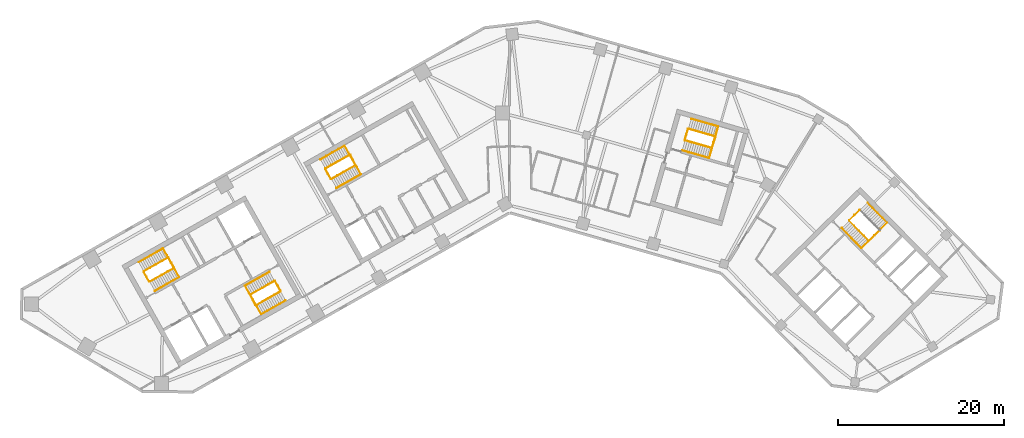
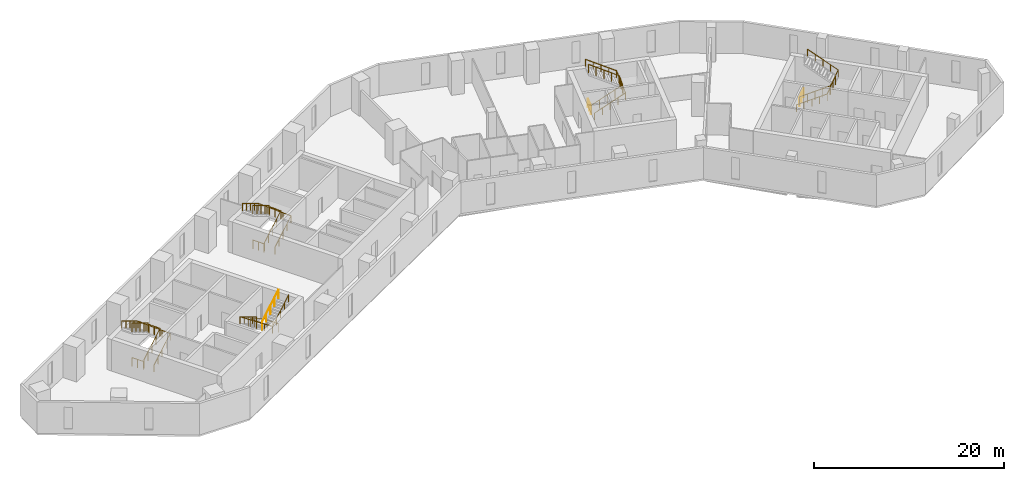
# One storey, part 9 of 10: 19 railings.
"""IFC4 building model written with IfcOpenShell, lengths in metres."""

from ifc_helpers import new_model, si_unit, direction, frame, origin, origin_2d, place, context, subcontext, project, spatial, circle, extrude, material, type_object, element, save


model = new_model("IFC4")

# Units and contexts
model_context = context("Model", 3, precision=1e-05, world=origin(), true_north=direction((0.0, 1.0)))
body_context = subcontext(model_context, "Body", "Model", "MODEL_VIEW")
ifc_project = project(units=[si_unit("LENGTHUNIT", "METRE"), si_unit("AREAUNIT", "SQUARE_METRE"), si_unit("VOLUMEUNIT", "CUBIC_METRE"), si_unit("PLANEANGLEUNIT", "RADIAN"), si_unit("MASSUNIT", "GRAM", prefix="KILO")], contexts=[model_context])

# Site, building, storey
site_placement = place(None, origin())
site = spatial("IfcSite", under=ifc_project, at=site_placement, CompositionType="ELEMENT")
building_placement = place(site_placement, origin())
building = spatial("IfcBuilding", under=site, at=building_placement, Name="Binnacle Exchange Tower", CompositionType="ELEMENT")
storey_placement = place(building_placement, frame((0.0, 0.0, 145.5)))
storey = spatial("IfcBuildingStorey", under=building, at=storey_placement, Name="L30", CompositionType="ELEMENT", Elevation=145.5)

# Railings
ifc_material_1 = material(Name="Steel guard rail", Category="steel")
railing_type_1 = type_object("IfcRailingType", Name="STAIR GUARD 1100", PredefinedType="GUARDRAIL", material=ifc_material_1)
railing_1_placement = place(storey_placement, frame((-43.26171875, 39.71728515625, 0.169189453125)))
element("IfcRailing", 1, at=railing_1_placement, inside=storey, type_object=railing_type_1, Name="L30 STA1 stair guard 1", PredefinedType="GUARDRAIL", context=body_context, shape_type="SweptSolid", body=[
    extrude(circle(Radius=0.02392578125, at=origin_2d()), frame((0.0, 0.0, 1.076171875), z_axis=(0.744867460262, 0.421436531824, 0.517265614832), x_axis=(-0.492433119026, 0.870350287693, 0.0)), (0.0, 0.0, 1.0), 3.926025390625),
    extrude(circle(Radius=0.02392578125, at=origin_2d()), frame((2.92431640625, 1.654541015625, 3.10693359375), z_axis=(-0.460963092712, 0.887419307406, 0.0), x_axis=(-0.887419307406, -0.460963092712, 0.0)), (0.0, 0.0, 1.0), 1.40087890625),
    extrude(circle(Radius=0.02099609375, at=origin_2d()), origin(), (0.0, 0.0, 1.0), 1.052001953125),
    extrude(circle(Radius=0.02099609375, at=origin_2d()), frame((0.73095703125, 0.41357421875, 0.5078125)), (0.0, 0.0, 1.0), 1.052001953125),
    extrude(circle(Radius=0.02099609375, at=origin_2d()), frame((1.462158203125, 0.8271484375, 1.015380859375)), (0.0, 0.0, 1.0), 1.052001953125),
    extrude(circle(Radius=0.02099609375, at=origin_2d()), frame((2.193359375, 1.240966796875, 1.52294921875)), (0.0, 0.0, 1.0), 1.052001953125),
    extrude(circle(Radius=0.02099609375, at=origin_2d()), frame((2.92431640625, 1.654541015625, 2.03076171875)), (0.0, 0.0, 1.0), 1.052001953125),
    extrude(circle(Radius=0.02099609375, at=origin_2d()), frame((2.6015625, 2.276123046875, 2.03076171875)), (0.0, 0.0, 1.0), 1.052001953125),
    extrude(circle(Radius=0.02099609375, at=origin_2d()), frame((2.278564453125, 2.897705078125, 2.03076171875)), (0.0, 0.0, 1.0), 1.052001953125),
])
railing_2_placement = place(storey_placement, frame((-41.05126953125, 42.6337890625, 2.369140625)))
element("IfcRailing", 2, at=railing_2_placement, inside=storey, type_object=railing_type_1, Name="L30 STA1 stair guard 2", PredefinedType="GUARDRAIL", context=body_context, shape_type="SweptSolid", body=[
    extrude(circle(Radius=0.02392578125, at=origin_2d()), frame((0.0, 0.0, 1.076171875), z_axis=(-0.744895141965, -0.421417011194, 0.517241655469), x_axis=(0.49240197835, -0.870367905955, 0.0)), (0.0, 0.0, 1.0), 3.926025390625),
    extrude(circle(Radius=0.02099609375, at=origin_2d()), origin(), (0.0, 0.0, 1.0), 1.052001953125),
    extrude(circle(Radius=0.02099609375, at=origin_2d()), frame((-0.731201171875, -0.41357421875, 0.5078125)), (0.0, 0.0, 1.0), 1.052001953125),
    extrude(circle(Radius=0.02099609375, at=origin_2d()), frame((-1.46240234375, -0.8271484375, 1.015380859375)), (0.0, 0.0, 1.0), 1.052001953125),
    extrude(circle(Radius=0.02099609375, at=origin_2d()), frame((-2.193359375, -1.240966796875, 1.52294921875)), (0.0, 0.0, 1.0), 1.052001953125),
    extrude(circle(Radius=0.02099609375, at=origin_2d()), frame((-2.924560546875, -1.654541015625, 2.03076171875)), (0.0, 0.0, 1.0), 1.052001953125),
])
railing_3_placement = place(storey_placement, frame((-43.329833984375, 39.736328125, 0.0)))
element("IfcRailing", 3, at=railing_3_placement, inside=storey, type_object=railing_type_1, Name="L30 STA1 stair guard 3", PredefinedType="GUARDRAIL", context=body_context, shape_type="SweptSolid", body=[
    extrude(circle(Radius=0.02392578125, at=origin_2d()), frame((0.0, 0.0, 1.076171875), z_axis=(-0.4924922531, 0.870316827734, 0.0), x_axis=(-0.870316827734, -0.4924922531, 0.0)), (0.0, 0.0, 1.0), 1.349853515625),
    extrude(circle(Radius=0.02099609375, at=origin_2d()), origin(), (0.0, 0.0, 1.0), 1.052001953125),
    extrude(circle(Radius=0.02099609375, at=origin_2d()), frame((-0.33251953125, 0.58740234375, 0.0)), (0.0, 0.0, 1.0), 1.052001953125),
    extrude(circle(Radius=0.02099609375, at=origin_2d()), frame((-0.664794921875, 1.1748046875, 0.0)), (0.0, 0.0, 1.0), 1.052001953125),
])
railing_4_placement = place(storey_placement, frame((-28.265380859375, 39.814453125, 0.169189453125)))
element("IfcRailing", 4, at=railing_4_placement, inside=storey, type_object=railing_type_1, Name="L30 STA2 stair guard 1", PredefinedType="GUARDRAIL", context=body_context, shape_type="SweptSolid", body=[
    extrude(circle(Radius=0.02392578125, at=origin_2d()), frame((0.0, 0.0, 1.076171875), z_axis=(-0.744895141965, -0.421417011194, 0.517241655469), x_axis=(0.49240197835, -0.870367905955, 0.0)), (0.0, 0.0, 1.0), 3.926025390625),
    extrude(circle(Radius=0.02392578125, at=origin_2d()), frame((-2.924560546875, -1.654541015625, 3.10693359375), z_axis=(0.461100321709, -0.887348011391, 0.0), x_axis=(0.887348011391, 0.461100321709, 0.0)), (0.0, 0.0, 1.0), 1.40087890625),
    extrude(circle(Radius=0.02099609375, at=origin_2d()), origin(), (0.0, 0.0, 1.0), 1.052001953125),
    extrude(circle(Radius=0.02099609375, at=origin_2d()), frame((-0.731201171875, -0.41357421875, 0.5078125)), (0.0, 0.0, 1.0), 1.052001953125),
    extrude(circle(Radius=0.02099609375, at=origin_2d()), frame((-1.46240234375, -0.8271484375, 1.015380859375)), (0.0, 0.0, 1.0), 1.052001953125),
    extrude(circle(Radius=0.02099609375, at=origin_2d()), frame((-2.193359375, -1.240966796875, 1.52294921875)), (0.0, 0.0, 1.0), 1.052001953125),
    extrude(circle(Radius=0.02099609375, at=origin_2d()), frame((-2.924560546875, -1.654541015625, 2.03076171875)), (0.0, 0.0, 1.0), 1.052001953125),
    extrude(circle(Radius=0.02099609375, at=origin_2d()), frame((-2.6015625, -2.276123046875, 2.03076171875)), (0.0, 0.0, 1.0), 1.052001953125),
    extrude(circle(Radius=0.02099609375, at=origin_2d()), frame((-2.278564453125, -2.897705078125, 2.03076171875)), (0.0, 0.0, 1.0), 1.052001953125),
])
railing_5_placement = place(storey_placement, frame((-30.475830078125, 36.89794921875, 2.369140625)))
element("IfcRailing", 5, at=railing_5_placement, inside=storey, type_object=railing_type_1, Name="L30 STA2 stair guard 2", PredefinedType="GUARDRAIL", context=body_context, shape_type="SweptSolid", body=[
    extrude(circle(Radius=0.02392578125, at=origin_2d()), frame((0.0, 0.0, 1.076171875), z_axis=(0.744867460262, 0.421436531824, 0.517265614832), x_axis=(-0.492433119026, 0.870350287693, 0.0)), (0.0, 0.0, 1.0), 3.926025390625),
    extrude(circle(Radius=0.02099609375, at=origin_2d()), origin(), (0.0, 0.0, 1.0), 1.052001953125),
    extrude(circle(Radius=0.02099609375, at=origin_2d()), frame((0.73095703125, 0.41357421875, 0.5078125)), (0.0, 0.0, 1.0), 1.052001953125),
    extrude(circle(Radius=0.02099609375, at=origin_2d()), frame((1.462158203125, 0.8271484375, 1.015380859375)), (0.0, 0.0, 1.0), 1.052001953125),
    extrude(circle(Radius=0.02099609375, at=origin_2d()), frame((2.193359375, 1.240966796875, 1.52294921875)), (0.0, 0.0, 1.0), 1.052001953125),
    extrude(circle(Radius=0.02099609375, at=origin_2d()), frame((2.92431640625, 1.654541015625, 2.03076171875)), (0.0, 0.0, 1.0), 1.052001953125),
])
railing_6_placement = place(storey_placement, frame((-28.197265625, 39.795654296875, 0.0)))
element("IfcRailing", 6, at=railing_6_placement, inside=storey, type_object=railing_type_1, Name="L30 STA2 stair guard 3", PredefinedType="GUARDRAIL", context=body_context, shape_type="SweptSolid", body=[
    extrude(circle(Radius=0.02392578125, at=origin_2d()), frame((0.0, 0.0, 1.076171875), z_axis=(0.49241474071, -0.870360685654, 0.0), x_axis=(0.870360685654, 0.49241474071, 0.0)), (0.0, 0.0, 1.0), 1.35009765625),
    extrude(circle(Radius=0.02099609375, at=origin_2d()), origin(), (0.0, 0.0, 1.0), 1.052001953125),
    extrude(circle(Radius=0.02099609375, at=origin_2d()), frame((0.33251953125, -0.58740234375, 0.0)), (0.0, 0.0, 1.0), 1.052001953125),
    extrude(circle(Radius=0.02099609375, at=origin_2d()), frame((0.664794921875, -1.175048828125, 0.0)), (0.0, 0.0, 1.0), 1.052001953125),
])
railing_7_placement = place(storey_placement, frame((40.822509765625, 47.046875, 0.169189453125)))
element("IfcRailing", 7, at=railing_7_placement, inside=storey, type_object=railing_type_1, Name="L30 STB1 stair guard 1", PredefinedType="GUARDRAIL", context=body_context, shape_type="SweptSolid", body=[
    extrude(circle(Radius=0.02392578125, at=origin_2d()), frame((0.0, 0.0, 1.076171875), z_axis=(0.599850224077, -0.610421915772, 0.51726665601), x_axis=(0.713256128111, 0.700903485305, 0.0)), (0.0, 0.0, 1.0), 3.926025390625),
    extrude(circle(Radius=0.02392578125, at=origin_2d()), frame((2.35498046875, -2.396484375, 3.10693359375), z_axis=(0.732527851538, 0.680737061369, 0.0), x_axis=(-0.680737061369, 0.732527851538, 0.0)), (0.0, 0.0, 1.0), 1.80078125),
    extrude(circle(Radius=0.02099609375, at=origin_2d()), origin(), (0.0, 0.0, 1.0), 1.052001953125),
    extrude(circle(Radius=0.02099609375, at=origin_2d()), frame((0.5888671875, -0.59912109375, 0.5078125)), (0.0, 0.0, 1.0), 1.052001953125),
    extrude(circle(Radius=0.02099609375, at=origin_2d()), frame((1.177490234375, -1.1982421875, 1.015380859375)), (0.0, 0.0, 1.0), 1.052001953125),
    extrude(circle(Radius=0.02099609375, at=origin_2d()), frame((1.76611328125, -1.79736328125, 1.52294921875)), (0.0, 0.0, 1.0), 1.052001953125),
    extrude(circle(Radius=0.02099609375, at=origin_2d()), frame((2.35498046875, -2.396484375, 2.03076171875)), (0.0, 0.0, 1.0), 1.052001953125),
    extrude(circle(Radius=0.02099609375, at=origin_2d()), frame((3.0146484375, -1.78369140625, 2.03076171875)), (0.0, 0.0, 1.0), 1.052001953125),
    extrude(circle(Radius=0.02099609375, at=origin_2d()), frame((3.674072265625, -1.170654296875, 2.03076171875)), (0.0, 0.0, 1.0), 1.052001953125),
])
railing_8_placement = place(storey_placement, frame((40.8232421875, 47.117431640625, 0.0)))
element("IfcRailing", 8, at=railing_8_placement, inside=storey, type_object=railing_type_1, Name="L30 STB1 stair guard 3", PredefinedType="GUARDRAIL", context=body_context, shape_type="SweptSolid", body=[
    extrude(circle(Radius=0.02392578125, at=origin_2d()), frame((0.0, 0.0, 1.076171875), z_axis=(0.713218950569, 0.700941316052, 0.0), x_axis=(-0.700941316052, 0.713218950569, 0.0)), (0.0, 0.0, 1.0), 1.75),
    extrude(circle(Radius=0.02099609375, at=origin_2d()), origin(), (0.0, 0.0, 1.0), 1.052001953125),
    extrude(circle(Radius=0.02099609375, at=origin_2d()), frame((0.6240234375, 0.61328125, 0.0)), (0.0, 0.0, 1.0), 1.052001953125),
    extrude(circle(Radius=0.02099609375, at=origin_2d()), frame((1.248046875, 1.2265625, 0.0)), (0.0, 0.0, 1.0), 1.052001953125),
])
railing_9_placement = place(storey_placement, frame((-21.423828125, 52.07275390625, 0.169189453125)))
element("IfcRailing", 9, at=railing_9_placement, inside=storey, type_object=railing_type_1, Name="L30 STC1 stair guard 1", PredefinedType="GUARDRAIL", context=body_context, shape_type="SweptSolid", body=[
    extrude(circle(Radius=0.02392578125, at=origin_2d()), frame((0.0, 0.0, 1.076171875), z_axis=(0.744895141965, 0.421417011194, 0.517241655469), x_axis=(-0.49240197835, 0.870367905955, 0.0)), (0.0, 0.0, 1.0), 3.926025390625),
    extrude(circle(Radius=0.02392578125, at=origin_2d()), frame((2.924560546875, 1.654541015625, 3.10693359375), z_axis=(-0.461171632143, 0.887310952094, 0.0), x_axis=(-0.887310952094, -0.461171632143, 0.0)), (0.0, 0.0, 1.0), 1.40087890625),
    extrude(circle(Radius=0.02099609375, at=origin_2d()), origin(), (0.0, 0.0, 1.0), 1.052001953125),
    extrude(circle(Radius=0.02099609375, at=origin_2d()), frame((0.731201171875, 0.41357421875, 0.5078125)), (0.0, 0.0, 1.0), 1.052001953125),
    extrude(circle(Radius=0.02099609375, at=origin_2d()), frame((1.46240234375, 0.8271484375, 1.015380859375)), (0.0, 0.0, 1.0), 1.052001953125),
    extrude(circle(Radius=0.02099609375, at=origin_2d()), frame((2.193359375, 1.240966796875, 1.52294921875)), (0.0, 0.0, 1.0), 1.052001953125),
    extrude(circle(Radius=0.02099609375, at=origin_2d()), frame((2.924560546875, 1.654541015625, 2.03076171875)), (0.0, 0.0, 1.0), 1.052001953125),
    extrude(circle(Radius=0.02099609375, at=origin_2d()), frame((2.6015625, 2.27587890625, 2.03076171875)), (0.0, 0.0, 1.0), 1.052001953125),
    extrude(circle(Radius=0.02099609375, at=origin_2d()), frame((2.278564453125, 2.8974609375, 2.03076171875)), (0.0, 0.0, 1.0), 1.052001953125),
])
railing_10_placement = place(storey_placement, frame((-19.21337890625, 54.9892578125, 2.369140625)))
element("IfcRailing", 10, at=railing_10_placement, inside=storey, type_object=railing_type_1, Name="L30 STC1 stair guard 2", PredefinedType="GUARDRAIL", context=body_context, shape_type="SweptSolid", body=[
    extrude(circle(Radius=0.02392578125, at=origin_2d()), frame((0.0, 0.0, 1.076171875), z_axis=(-0.744867460262, -0.421436531824, 0.517265614832), x_axis=(0.492433119026, -0.870350287693, 0.0)), (0.0, 0.0, 1.0), 3.926025390625),
    extrude(circle(Radius=0.02099609375, at=origin_2d()), origin(), (0.0, 0.0, 1.0), 1.052001953125),
    extrude(circle(Radius=0.02099609375, at=origin_2d()), frame((-0.73095703125, -0.41357421875, 0.5078125)), (0.0, 0.0, 1.0), 1.052001953125),
    extrude(circle(Radius=0.02099609375, at=origin_2d()), frame((-1.462158203125, -0.8271484375, 1.015380859375)), (0.0, 0.0, 1.0), 1.052001953125),
    extrude(circle(Radius=0.02099609375, at=origin_2d()), frame((-2.193359375, -1.240966796875, 1.52294921875)), (0.0, 0.0, 1.0), 1.052001953125),
    extrude(circle(Radius=0.02099609375, at=origin_2d()), frame((-2.92431640625, -1.654541015625, 2.03076171875)), (0.0, 0.0, 1.0), 1.052001953125),
])
railing_11_placement = place(storey_placement, frame((-21.491943359375, 52.091552734375, 0.0)))
element("IfcRailing", 11, at=railing_11_placement, inside=storey, type_object=railing_type_1, Name="L30 STC1 stair guard 3", PredefinedType="GUARDRAIL", context=body_context, shape_type="SweptSolid", body=[
    extrude(circle(Radius=0.02392578125, at=origin_2d()), frame((0.0, 0.0, 1.076171875), z_axis=(-0.49241474071, 0.870360685654, 0.0), x_axis=(-0.870360685654, -0.49241474071, 0.0)), (0.0, 0.0, 1.0), 1.35009765625),
    extrude(circle(Radius=0.02099609375, at=origin_2d()), origin(), (0.0, 0.0, 1.0), 1.052001953125),
    extrude(circle(Radius=0.02099609375, at=origin_2d()), frame((-0.33251953125, 0.58740234375, 0.0)), (0.0, 0.0, 1.0), 1.052001953125),
    extrude(circle(Radius=0.02099609375, at=origin_2d()), frame((-0.664794921875, 1.175048828125, 0.0)), (0.0, 0.0, 1.0), 1.052001953125),
])
railing_12_placement = place(storey_placement, frame((21.086669921875, 56.71044921875, 0.169189453125)))
element("IfcRailing", 12, at=railing_12_placement, inside=storey, type_object=railing_type_1, Name="L30 STD1 stair guard 1", PredefinedType="GUARDRAIL", context=body_context, shape_type="SweptSolid", body=[
    extrude(circle(Radius=0.02392578125, at=origin_2d()), frame((0.0, 0.0, 1.076171875), z_axis=(0.82266146106, -0.235934506256, 0.517264950721), x_axis=(0.27568068152, 0.961249271436, 0.0)), (0.0, 0.0, 1.0), 3.926025390625),
    extrude(circle(Radius=0.02392578125, at=origin_2d()), frame((3.229736328125, -0.92626953125, 3.10693359375), z_axis=(0.309842533299, 0.950787886208, 0.0), x_axis=(-0.950787886208, 0.309842533299, 0.0)), (0.0, 0.0, 1.0), 1.40087890625),
    extrude(circle(Radius=0.02099609375, at=origin_2d()), origin(), (0.0, 0.0, 1.0), 1.052001953125),
    extrude(circle(Radius=0.02099609375, at=origin_2d()), frame((0.807373046875, -0.2314453125, 0.5078125)), (0.0, 0.0, 1.0), 1.052001953125),
    extrude(circle(Radius=0.02099609375, at=origin_2d()), frame((1.61474609375, -0.463134765625, 1.015380859375)), (0.0, 0.0, 1.0), 1.052001953125),
    extrude(circle(Radius=0.02099609375, at=origin_2d()), frame((2.42236328125, -0.69482421875, 1.52294921875)), (0.0, 0.0, 1.0), 1.052001953125),
    extrude(circle(Radius=0.02099609375, at=origin_2d()), frame((3.229736328125, -0.92626953125, 2.03076171875)), (0.0, 0.0, 1.0), 1.052001953125),
    extrude(circle(Radius=0.02099609375, at=origin_2d()), frame((3.44677734375, -0.26025390625, 2.03076171875)), (0.0, 0.0, 1.0), 1.052001953125),
    extrude(circle(Radius=0.02099609375, at=origin_2d()), frame((3.663818359375, 0.40576171875, 2.03076171875)), (0.0, 0.0, 1.0), 1.052001953125),
])
railing_13_placement = place(storey_placement, frame((24.716064453125, 57.177978515625, 2.369140625)))
element("IfcRailing", 13, at=railing_13_placement, inside=storey, type_object=railing_type_1, Name="L30 STD1 stair guard 2", PredefinedType="GUARDRAIL", context=body_context, shape_type="SweptSolid", body=[
    extrude(circle(Radius=0.02392578125, at=origin_2d()), frame((0.0, 0.0, 1.076171875), z_axis=(-0.82266146106, 0.235934506256, 0.517264950721), x_axis=(-0.27568068152, -0.961249271436, 0.0)), (0.0, 0.0, 1.0), 3.926025390625),
    extrude(circle(Radius=0.02099609375, at=origin_2d()), origin(), (0.0, 0.0, 1.0), 1.052001953125),
    extrude(circle(Radius=0.02099609375, at=origin_2d()), frame((-0.807373046875, 0.2314453125, 0.5078125)), (0.0, 0.0, 1.0), 1.052001953125),
    extrude(circle(Radius=0.02099609375, at=origin_2d()), frame((-1.61474609375, 0.463134765625, 1.015380859375)), (0.0, 0.0, 1.0), 1.052001953125),
    extrude(circle(Radius=0.02099609375, at=origin_2d()), frame((-2.42236328125, 0.69482421875, 1.52294921875)), (0.0, 0.0, 1.0), 1.052001953125),
    extrude(circle(Radius=0.02099609375, at=origin_2d()), frame((-3.229736328125, 0.92626953125, 2.03076171875)), (0.0, 0.0, 1.0), 1.052001953125),
])
railing_14_placement = place(storey_placement, frame((21.05224609375, 56.772216796875, 0.0)))
element("IfcRailing", 14, at=railing_14_placement, inside=storey, type_object=railing_type_1, Name="L30 STD1 stair guard 3", PredefinedType="GUARDRAIL", context=body_context, shape_type="SweptSolid", body=[
    extrude(circle(Radius=0.02392578125, at=origin_2d()), frame((0.0, 0.0, 1.076171875), z_axis=(0.275795817769, 0.961216243569, 0.0), x_axis=(-0.961216243569, 0.275795817769, 0.0)), (0.0, 0.0, 1.0), 1.349853515625),
    extrude(circle(Radius=0.02099609375, at=origin_2d()), origin(), (0.0, 0.0, 1.0), 1.052001953125),
    extrude(circle(Radius=0.02099609375, at=origin_2d()), frame((0.18603515625, 0.64892578125, 0.0)), (0.0, 0.0, 1.0), 1.052001953125),
    extrude(circle(Radius=0.02099609375, at=origin_2d()), frame((0.372314453125, 1.297607421875, 0.0)), (0.0, 0.0, 1.0), 1.052001953125),
])
ifc_material_2 = material(Name="Steel handrail", Category="steel")
railing_type_2 = type_object("IfcRailingType", Name="STAIR HANDRAIL 900", PredefinedType="HANDRAIL", material=ifc_material_2)
railing_15_placement = place(storey_placement, frame((-42.646240234375, 38.62939453125, 0.169189453125)))
element("IfcRailing", 15, at=railing_15_placement, inside=storey, type_object=railing_type_2, Name="L30 STA1 stair handrail 1", PredefinedType="HANDRAIL", context=body_context, shape_type="SweptSolid", body=[
    extrude(circle(Radius=0.02392578125, at=origin_2d()), frame((0.0, 0.0, 0.8759765625), z_axis=(0.744867460262, 0.421436531824, 0.517265614832), x_axis=(-0.492433119026, 0.870350287693, 0.0)), (0.0, 0.0, 1.0), 3.926025390625),
    extrude(circle(Radius=0.02392578125, at=origin_2d()), frame((2.92431640625, 1.654541015625, 2.90673828125), z_axis=(-0.491962556146, 0.869564041126, 0.04279277663), x_axis=(-0.870361318571, -0.492413622004, 0.0)), (0.0, 0.0, 1.0), 3.95361328125),
    extrude(circle(Radius=0.02392578125, at=origin_2d()), frame((0.979248046875, 5.092529296875, 3.07568359375), z_axis=(-0.744867460262, -0.421436531824, 0.517265614832), x_axis=(0.492433119026, -0.870350287693, 0.0)), (0.0, 0.0, 1.0), 3.926025390625),
    extrude(circle(Radius=0.02099609375, at=origin_2d()), origin(), (0.0, 0.0, 1.0), 0.851806640625),
    extrude(circle(Radius=0.02099609375, at=origin_2d()), frame((0.73095703125, 0.41357421875, 0.5078125)), (0.0, 0.0, 1.0), 0.851806640625),
    extrude(circle(Radius=0.02099609375, at=origin_2d()), frame((1.462158203125, 0.8271484375, 1.015380859375)), (0.0, 0.0, 1.0), 0.851806640625),
    extrude(circle(Radius=0.02099609375, at=origin_2d()), frame((2.193359375, 1.240966796875, 1.52294921875)), (0.0, 0.0, 1.0), 0.851806640625),
    extrude(circle(Radius=0.02099609375, at=origin_2d()), frame((2.92431640625, 1.654541015625, 2.03076171875)), (0.0, 0.0, 1.0), 0.851806640625),
    extrude(circle(Radius=0.02099609375, at=origin_2d()), frame((2.43798828125, 2.51416015625, 2.072998046875)), (0.0, 0.0, 1.0), 0.851806640625),
    extrude(circle(Radius=0.02099609375, at=origin_2d()), frame((1.95166015625, 3.37353515625, 2.115234375)), (0.0, 0.0, 1.0), 0.851806640625),
    extrude(circle(Radius=0.02099609375, at=origin_2d()), frame((1.465576171875, 4.23291015625, 2.15771484375)), (0.0, 0.0, 1.0), 0.851806640625),
    extrude(circle(Radius=0.02099609375, at=origin_2d()), frame((0.979248046875, 5.092529296875, 2.199951171875)), (0.0, 0.0, 1.0), 0.851806640625),
    extrude(circle(Radius=0.02099609375, at=origin_2d()), frame((0.248046875, 4.678955078125, 2.70751953125)), (0.0, 0.0, 1.0), 0.851806640625),
    extrude(circle(Radius=0.02099609375, at=origin_2d()), frame((-0.48291015625, 4.26513671875, 3.21533203125)), (0.0, 0.0, 1.0), 0.851806640625),
    extrude(circle(Radius=0.02099609375, at=origin_2d()), frame((-1.2138671875, 3.8515625, 3.72314453125)), (0.0, 0.0, 1.0), 0.851806640625),
    extrude(circle(Radius=0.02099609375, at=origin_2d()), frame((-1.945068359375, 3.43798828125, 4.230712890625)), (0.0, 0.0, 1.0), 0.851806640625),
])
railing_16_placement = place(storey_placement, frame((-28.880859375, 40.90234375, 0.169189453125)))
element("IfcRailing", 16, at=railing_16_placement, inside=storey, type_object=railing_type_2, Name="L30 STA2 stair handrail 1", PredefinedType="HANDRAIL", context=body_context, shape_type="SweptSolid", body=[
    extrude(circle(Radius=0.02392578125, at=origin_2d()), frame((0.0, 0.0, 0.8759765625), z_axis=(-0.744895141965, -0.421417011194, 0.517241655469), x_axis=(0.49240197835, -0.870367905955, 0.0)), (0.0, 0.0, 1.0), 3.926025390625),
    extrude(circle(Radius=0.02392578125, at=origin_2d()), frame((-2.924560546875, -1.654541015625, 2.90673828125), z_axis=(0.491988973567, -0.869548981648, 0.042795074518), x_axis=(0.87034633103, 0.492440112159, 0.0)), (0.0, 0.0, 1.0), 3.953369140625),
    extrude(circle(Radius=0.02392578125, at=origin_2d()), frame((-0.9794921875, -5.09228515625, 3.07568359375), z_axis=(0.744895141965, 0.421417011194, 0.517241655469), x_axis=(-0.49240197835, 0.870367905955, 0.0)), (0.0, 0.0, 1.0), 3.926025390625),
    extrude(circle(Radius=0.02099609375, at=origin_2d()), origin(), (0.0, 0.0, 1.0), 0.851806640625),
    extrude(circle(Radius=0.02099609375, at=origin_2d()), frame((-0.731201171875, -0.41357421875, 0.5078125)), (0.0, 0.0, 1.0), 0.851806640625),
    extrude(circle(Radius=0.02099609375, at=origin_2d()), frame((-1.46240234375, -0.8271484375, 1.015380859375)), (0.0, 0.0, 1.0), 0.851806640625),
    extrude(circle(Radius=0.02099609375, at=origin_2d()), frame((-2.193359375, -1.240966796875, 1.52294921875)), (0.0, 0.0, 1.0), 0.851806640625),
    extrude(circle(Radius=0.02099609375, at=origin_2d()), frame((-2.924560546875, -1.654541015625, 2.03076171875)), (0.0, 0.0, 1.0), 0.851806640625),
    extrude(circle(Radius=0.02099609375, at=origin_2d()), frame((-2.438232421875, -2.513916015625, 2.072998046875)), (0.0, 0.0, 1.0), 0.851806640625),
    extrude(circle(Radius=0.02099609375, at=origin_2d()), frame((-1.9521484375, -3.37353515625, 2.115234375)), (0.0, 0.0, 1.0), 0.851806640625),
    extrude(circle(Radius=0.02099609375, at=origin_2d()), frame((-1.4658203125, -4.23291015625, 2.15771484375)), (0.0, 0.0, 1.0), 0.851806640625),
    extrude(circle(Radius=0.02099609375, at=origin_2d()), frame((-0.9794921875, -5.09228515625, 2.199951171875)), (0.0, 0.0, 1.0), 0.851806640625),
    extrude(circle(Radius=0.02099609375, at=origin_2d()), frame((-0.248291015625, -4.6787109375, 2.70751953125)), (0.0, 0.0, 1.0), 0.851806640625),
    extrude(circle(Radius=0.02099609375, at=origin_2d()), frame((0.48291015625, -4.26513671875, 3.21533203125)), (0.0, 0.0, 1.0), 0.851806640625),
    extrude(circle(Radius=0.02099609375, at=origin_2d()), frame((1.2138671875, -3.851318359375, 3.72314453125)), (0.0, 0.0, 1.0), 0.851806640625),
    extrude(circle(Radius=0.02099609375, at=origin_2d()), frame((1.945068359375, -3.437744140625, 4.230712890625)), (0.0, 0.0, 1.0), 0.851806640625),
])
railing_17_placement = place(storey_placement, frame((39.930908203125, 46.170654296875, 0.169189453125)))
element("IfcRailing", 17, at=railing_17_placement, inside=storey, type_object=railing_type_2, Name="L30 STB1 stair handrail 1", PredefinedType="HANDRAIL", context=body_context, shape_type="SweptSolid", body=[
    extrude(circle(Radius=0.02392578125, at=origin_2d()), frame((0.0, 0.0, 0.8759765625), z_axis=(0.599890032335, -0.610399145579, 0.51724736073), x_axis=(0.713219803244, 0.700940448441, 0.0)), (0.0, 0.0, 1.0), 3.926025390625),
    extrude(circle(Radius=0.02392578125, at=origin_2d()), frame((2.355224609375, -2.396484375, 2.90673828125), z_axis=(0.712714810107, 0.700376341566, 0.038866175905), x_axis=(-0.700905928746, 0.713253726978, 0.0)), (0.0, 0.0, 1.0), 4.35302734375),
    extrude(circle(Radius=0.02392578125, at=origin_2d()), frame((5.457763671875, 0.65234375, 3.07568359375), z_axis=(-0.599827453926, 0.610460928384, 0.517247020709), x_axis=(-0.713291821981, -0.70086716052, 0.0)), (0.0, 0.0, 1.0), 3.926025390625),
    extrude(circle(Radius=0.02099609375, at=origin_2d()), origin(), (0.0, 0.0, 1.0), 0.851806640625),
    extrude(circle(Radius=0.02099609375, at=origin_2d()), frame((0.5888671875, -0.59912109375, 0.5078125)), (0.0, 0.0, 1.0), 0.851806640625),
    extrude(circle(Radius=0.02099609375, at=origin_2d()), frame((1.177734375, -1.1982421875, 1.015380859375)), (0.0, 0.0, 1.0), 0.851806640625),
    extrude(circle(Radius=0.02099609375, at=origin_2d()), frame((1.766357421875, -1.79736328125, 1.52294921875)), (0.0, 0.0, 1.0), 0.851806640625),
    extrude(circle(Radius=0.02099609375, at=origin_2d()), frame((2.355224609375, -2.396484375, 2.03076171875)), (0.0, 0.0, 1.0), 0.851806640625),
    extrude(circle(Radius=0.02099609375, at=origin_2d()), frame((3.130859375, -1.63427734375, 2.072998046875)), (0.0, 0.0, 1.0), 0.851806640625),
    extrude(circle(Radius=0.02099609375, at=origin_2d()), frame((3.906494140625, -0.8720703125, 2.115234375)), (0.0, 0.0, 1.0), 0.851806640625),
    extrude(circle(Radius=0.02099609375, at=origin_2d()), frame((4.68212890625, -0.10986328125, 2.15771484375)), (0.0, 0.0, 1.0), 0.851806640625),
    extrude(circle(Radius=0.02099609375, at=origin_2d()), frame((5.457763671875, 0.65234375, 2.199951171875)), (0.0, 0.0, 1.0), 0.851806640625),
    extrude(circle(Radius=0.02099609375, at=origin_2d()), frame((4.869140625, 1.25146484375, 2.70751953125)), (0.0, 0.0, 1.0), 0.851806640625),
    extrude(circle(Radius=0.02099609375, at=origin_2d()), frame((4.2802734375, 1.8505859375, 3.21533203125)), (0.0, 0.0, 1.0), 0.851806640625),
    extrude(circle(Radius=0.02099609375, at=origin_2d()), frame((3.69140625, 2.449951171875, 3.72314453125)), (0.0, 0.0, 1.0), 0.851806640625),
    extrude(circle(Radius=0.02099609375, at=origin_2d()), frame((3.102783203125, 3.049072265625, 4.230712890625)), (0.0, 0.0, 1.0), 0.851806640625),
])
railing_18_placement = place(storey_placement, frame((-20.808349609375, 50.984619140625, 0.169189453125)))
element("IfcRailing", 18, at=railing_18_placement, inside=storey, type_object=railing_type_2, Name="L30 STC1 stair handrail 1", PredefinedType="HANDRAIL", context=body_context, shape_type="SweptSolid", body=[
    extrude(circle(Radius=0.02392578125, at=origin_2d()), frame((0.0, 0.0, 0.8759765625), z_axis=(0.744895141965, 0.421417011194, 0.517241655469), x_axis=(-0.49240197835, 0.870367905955, 0.0)), (0.0, 0.0, 1.0), 3.926025390625),
    extrude(circle(Radius=0.02392578125, at=origin_2d()), frame((2.924560546875, 1.654541015625, 2.90673828125), z_axis=(-0.491962556146, 0.869564041126, 0.04279277663), x_axis=(-0.870361318571, -0.492413622004, 0.0)), (0.0, 0.0, 1.0), 3.95361328125),
    extrude(circle(Radius=0.02392578125, at=origin_2d()), frame((0.9794921875, 5.092529296875, 3.07568359375), z_axis=(-0.744895141965, -0.421417011194, 0.517241655469), x_axis=(0.49240197835, -0.870367905955, 0.0)), (0.0, 0.0, 1.0), 3.926025390625),
    extrude(circle(Radius=0.02099609375, at=origin_2d()), origin(), (0.0, 0.0, 1.0), 0.851806640625),
    extrude(circle(Radius=0.02099609375, at=origin_2d()), frame((0.731201171875, 0.41357421875, 0.5078125)), (0.0, 0.0, 1.0), 0.851806640625),
    extrude(circle(Radius=0.02099609375, at=origin_2d()), frame((1.46240234375, 0.8271484375, 1.015380859375)), (0.0, 0.0, 1.0), 0.851806640625),
    extrude(circle(Radius=0.02099609375, at=origin_2d()), frame((2.193359375, 1.240966796875, 1.52294921875)), (0.0, 0.0, 1.0), 0.851806640625),
    extrude(circle(Radius=0.02099609375, at=origin_2d()), frame((2.924560546875, 1.654541015625, 2.03076171875)), (0.0, 0.0, 1.0), 0.851806640625),
    extrude(circle(Radius=0.02099609375, at=origin_2d()), frame((2.438232421875, 2.51416015625, 2.072998046875)), (0.0, 0.0, 1.0), 0.851806640625),
    extrude(circle(Radius=0.02099609375, at=origin_2d()), frame((1.9521484375, 3.37353515625, 2.115234375)), (0.0, 0.0, 1.0), 0.851806640625),
    extrude(circle(Radius=0.02099609375, at=origin_2d()), frame((1.4658203125, 4.23291015625, 2.15771484375)), (0.0, 0.0, 1.0), 0.851806640625),
    extrude(circle(Radius=0.02099609375, at=origin_2d()), frame((0.9794921875, 5.092529296875, 2.199951171875)), (0.0, 0.0, 1.0), 0.851806640625),
    extrude(circle(Radius=0.02099609375, at=origin_2d()), frame((0.248291015625, 4.678955078125, 2.70751953125)), (0.0, 0.0, 1.0), 0.851806640625),
    extrude(circle(Radius=0.02099609375, at=origin_2d()), frame((-0.48291015625, 4.26513671875, 3.21533203125)), (0.0, 0.0, 1.0), 0.851806640625),
    extrude(circle(Radius=0.02099609375, at=origin_2d()), frame((-1.2138671875, 3.8515625, 3.72314453125)), (0.0, 0.0, 1.0), 0.851806640625),
    extrude(circle(Radius=0.02099609375, at=origin_2d()), frame((-1.945068359375, 3.43798828125, 4.230712890625)), (0.0, 0.0, 1.0), 0.851806640625),
])
railing_19_placement = place(storey_placement, frame((20.7421875, 55.5087890625, 0.169189453125)))
element("IfcRailing", 19, at=railing_19_placement, inside=storey, type_object=railing_type_2, Name="L30 STD1 stair handrail 1", PredefinedType="HANDRAIL", context=body_context, shape_type="SweptSolid", body=[
    extrude(circle(Radius=0.02392578125, at=origin_2d()), frame((0.0, 0.0, 0.8759765625), z_axis=(0.82266146106, -0.235934506256, 0.517264950721), x_axis=(0.27568068152, 0.961249271436, 0.0)), (0.0, 0.0, 1.0), 3.926025390625),
    extrude(circle(Radius=0.02392578125, at=origin_2d()), frame((3.229736328125, -0.92626953125, 2.90673828125), z_axis=(0.275399082883, 0.960377115711, 0.042791830591), x_axis=(-0.961257617982, 0.275651576943, 0.0)), (0.0, 0.0, 1.0), 3.953857421875),
    extrude(circle(Radius=0.02392578125, at=origin_2d()), frame((4.318603515625, 2.870849609375, 3.07568359375), z_axis=(-0.822693627572, 0.235863713483, 0.517246076655), x_axis=(-0.275594289407, -0.961274043989, 0.0)), (0.0, 0.0, 1.0), 3.926025390625),
    extrude(circle(Radius=0.02099609375, at=origin_2d()), origin(), (0.0, 0.0, 1.0), 0.851806640625),
    extrude(circle(Radius=0.02099609375, at=origin_2d()), frame((0.807373046875, -0.2314453125, 0.5078125)), (0.0, 0.0, 1.0), 0.851806640625),
    extrude(circle(Radius=0.02099609375, at=origin_2d()), frame((1.61474609375, -0.463134765625, 1.015380859375)), (0.0, 0.0, 1.0), 0.851806640625),
    extrude(circle(Radius=0.02099609375, at=origin_2d()), frame((2.42236328125, -0.69482421875, 1.52294921875)), (0.0, 0.0, 1.0), 0.851806640625),
    extrude(circle(Radius=0.02099609375, at=origin_2d()), frame((3.229736328125, -0.92626953125, 2.03076171875)), (0.0, 0.0, 1.0), 0.851806640625),
    extrude(circle(Radius=0.02099609375, at=origin_2d()), frame((3.501953125, 0.02294921875, 2.072998046875)), (0.0, 0.0, 1.0), 0.851806640625),
    extrude(circle(Radius=0.02099609375, at=origin_2d()), frame((3.774169921875, 0.97216796875, 2.115234375)), (0.0, 0.0, 1.0), 0.851806640625),
    extrude(circle(Radius=0.02099609375, at=origin_2d()), frame((4.04638671875, 1.921630859375, 2.15771484375)), (0.0, 0.0, 1.0), 0.851806640625),
    extrude(circle(Radius=0.02099609375, at=origin_2d()), frame((4.318603515625, 2.870849609375, 2.199951171875)), (0.0, 0.0, 1.0), 0.851806640625),
    extrude(circle(Radius=0.02099609375, at=origin_2d()), frame((3.51123046875, 3.102294921875, 2.70751953125)), (0.0, 0.0, 1.0), 0.851806640625),
    extrude(circle(Radius=0.02099609375, at=origin_2d()), frame((2.70361328125, 3.333984375, 3.21533203125)), (0.0, 0.0, 1.0), 0.851806640625),
    extrude(circle(Radius=0.02099609375, at=origin_2d()), frame((1.89599609375, 3.5654296875, 3.72314453125)), (0.0, 0.0, 1.0), 0.851806640625),
    extrude(circle(Radius=0.02099609375, at=origin_2d()), frame((1.088623046875, 3.796875, 4.230712890625)), (0.0, 0.0, 1.0), 0.851806640625),
])

save(model, "model.ifc")
